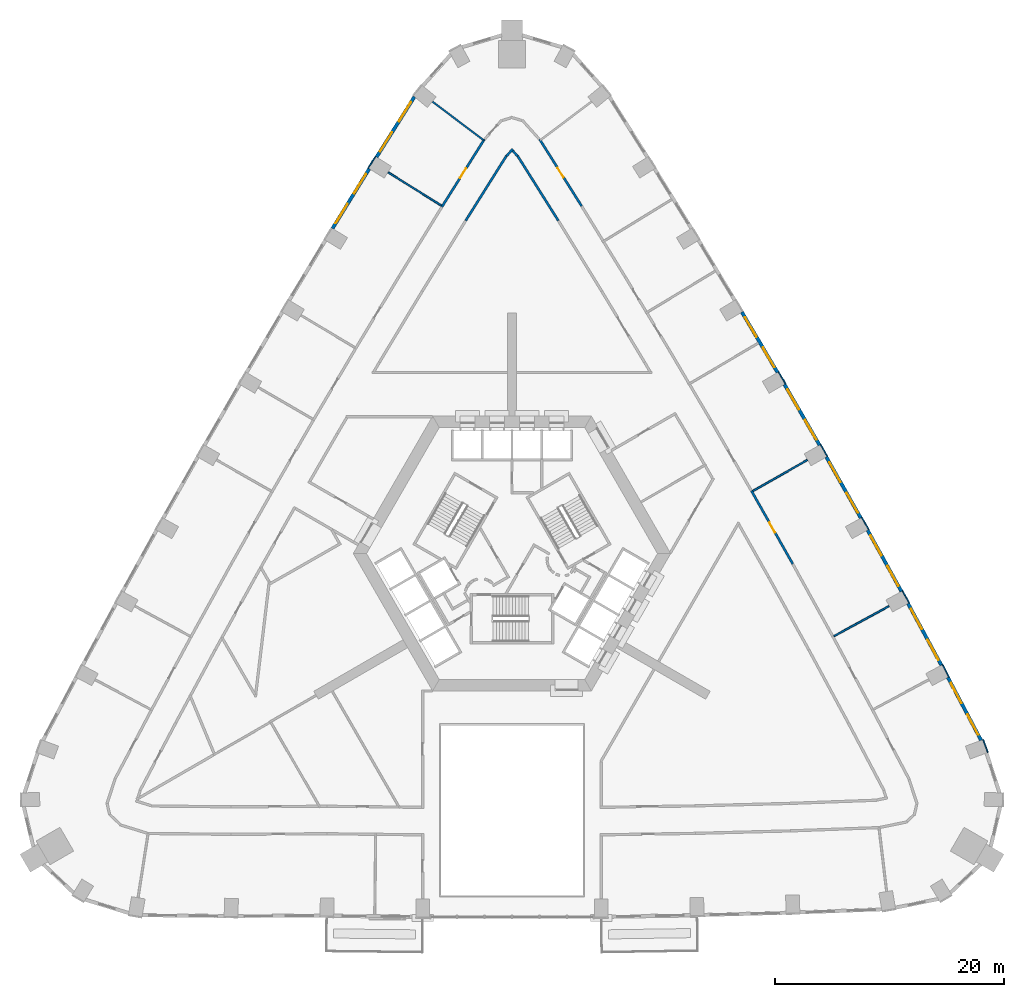
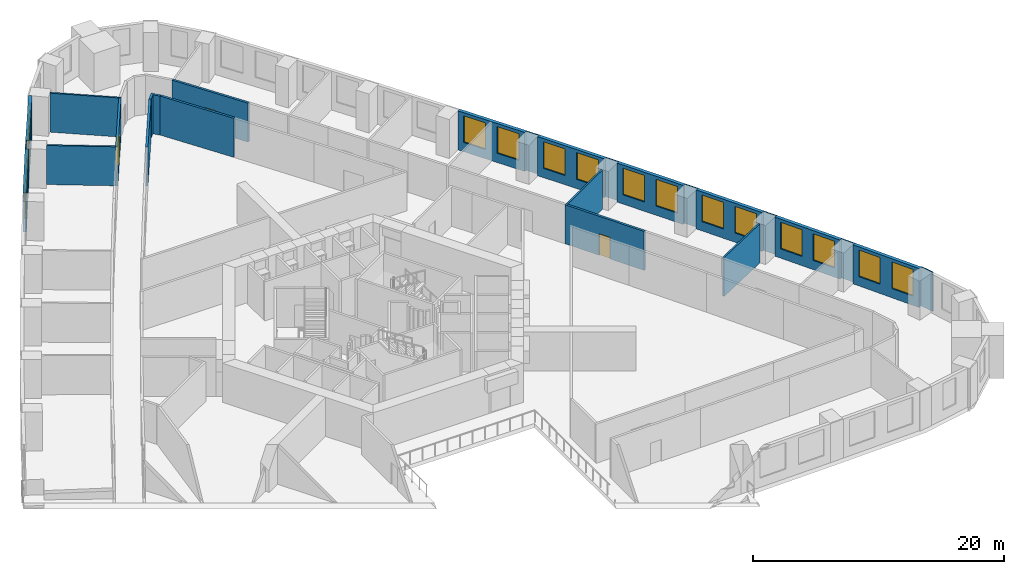
# One storey, part 11 of 14: 26 walls, 16 windows, 3 doors, 19 openings.
"""IFC4 building model written with IfcOpenShell, lengths in metres."""

from ifc_helpers import new_model, si_unit, direction, frame, frame_2d, origin, place, context, subcontext, project, spatial, rectangle, extrude, material, layer, layer_set, type_object, element, fill, save


model = new_model("IFC4")

# Units and contexts
model_context = context("Model", 3, precision=1e-05, world=origin(), true_north=direction((0.0, 1.0)))
body_context = subcontext(model_context, "Body", "Model", "MODEL_VIEW")
ifc_project = project(units=[si_unit("LENGTHUNIT", "METRE"), si_unit("AREAUNIT", "SQUARE_METRE"), si_unit("VOLUMEUNIT", "CUBIC_METRE"), si_unit("PLANEANGLEUNIT", "RADIAN"), si_unit("MASSUNIT", "GRAM", prefix="KILO")], contexts=[model_context])

# Site, building, storey
site_placement = place(None, origin())
site = spatial("IfcSite", under=ifc_project, at=site_placement, CompositionType="ELEMENT")
building_placement = place(site_placement, origin())
building = spatial("IfcBuilding", under=site, at=building_placement, Name="Entoto Arch Interchange Tower", CompositionType="ELEMENT")
storey_placement = place(building_placement, frame((0.0, 0.0, 64.39990234375)))
storey = spatial("IfcBuildingStorey", under=building, at=storey_placement, Name="L13", CompositionType="ELEMENT", Elevation=64.39990234375)

# Walls
ifc_material_1 = material(Name="Gypsum board partition on steel studs", Category="steel")
ifc_layer_1 = layer(ifc_material_1, 0.14990234375)
ifc_layer_set_1 = layer_set([ifc_layer_1], Name="Gypsum board partition on steel studs")
wall_type_1 = type_object("IfcWallType", Name="PARTITION 150", PredefinedType="PARTITIONING", material=ifc_layer_set_1)
wall_1_placement = place(storey_placement, frame((28.111083984375, -4.717041015625, 0.0), z_axis=(0.0, 0.0, 1.0), x_axis=(0.877558297547, 0.479469951515, 0.0)))
element("IfcWall", 1, at=wall_1_placement, inside=storey, type_object=wall_type_1, Name="wall:L13:p136", PredefinedType="PARTITIONING", context=body_context, shape_type="SweptSolid", body=[
    extrude(rectangle(XDim=5.48095703125, YDim=0.14990234375, at=frame_2d((2.740478515625, 0.0))), origin(), (0.0, 0.0, 1.0), 3.800048828125),
])
wall_2_placement = place(storey_placement, frame((21.032958984375, 7.952880859375, 0.0), z_axis=(0.0, 0.0, 1.0), x_axis=(0.868311678357, 0.496018980715, 0.0)))
element("IfcWall", 2, at=wall_2_placement, inside=storey, type_object=wall_type_1, Name="wall:L13:p137", PredefinedType="PARTITIONING", context=body_context, shape_type="SweptSolid", body=[
    extrude(rectangle(XDim=5.479736328125, YDim=0.14990234375, at=frame_2d((2.73974609375, 0.0))), origin(), (0.0, 0.0, 1.0), 3.800048828125),
])
wall_3_placement = place(storey_placement, frame((-2.466064453125, 38.580078125, 0.0), z_axis=(0.0, 0.0, 1.0), x_axis=(-0.798796148738, 0.601601789193, 0.0)))
element("IfcWall", 3, at=wall_3_placement, inside=storey, type_object=wall_type_1, Name="wall:L13:p142", PredefinedType="PARTITIONING", context=body_context, shape_type="SweptSolid", body=[
    extrude(rectangle(XDim=5.604736328125, YDim=0.14990234375, at=frame_2d((2.80224609375, 0.0))), origin(), (0.0, 0.0, 1.0), 3.800048828125),
])
wall_4_placement = place(storey_placement, frame((-6.166015625, 32.885009765625, 0.0), z_axis=(0.0, 0.0, 1.0), x_axis=(-0.84915518202, 0.528143424506, 0.0)))
element("IfcWall", 4, at=wall_4_placement, inside=storey, type_object=wall_type_1, Name="wall:L13:p143", PredefinedType="PARTITIONING", context=body_context, shape_type="SweptSolid", body=[
    extrude(rectangle(XDim=5.479736328125, YDim=0.14990234375, at=frame_2d((2.73974609375, 0.0))), origin(), (0.0, 0.0, 1.0), 3.800048828125),
])
ifc_layer_2 = layer(ifc_material_1, 0.199951171875)
ifc_layer_set_2 = layer_set([ifc_layer_2], Name="Gypsum board partition on steel studs")
wall_type_2 = type_object("IfcWallType", Name="PARTITION 200", PredefinedType="PARTITIONING", material=ifc_layer_set_2)
wall_5_placement = place(storey_placement, frame((4.04296875, 31.56396484375, 0.0), z_axis=(0.0, 0.0, 1.0), x_axis=(-0.532301094997, 0.846555104092, 0.0)))
element("IfcWall", 5, at=wall_5_placement, inside=storey, type_object=wall_type_2, Name="wall:L13:p011", PredefinedType="PARTITIONING", context=body_context, shape_type="SweptSolid", body=[
    extrude(rectangle(XDim=6.676513671875, YDim=0.199951171875, at=frame_2d((3.33837890625, 0.0))), origin(), (0.0, 0.0, 1.0), 3.800048828125),
])
wall_6_placement = place(storey_placement, frame((0.47607421875, 37.2060546875, 0.0), z_axis=(0.0, 0.0, 1.0), x_axis=(-0.667027496744, 0.745033098988, 0.0)))
element("IfcWall", 6, at=wall_6_placement, inside=storey, type_object=wall_type_2, Name="wall:L13:p012", PredefinedType="PARTITIONING", context=body_context, shape_type="SweptSolid", body=[
    extrude(rectangle(XDim=0.613525390625, YDim=0.199951171875, at=frame_2d((0.306640625, 0.0))), origin(), (0.0, 0.0, 1.0), 3.800048828125),
])
wall_7_placement = place(storey_placement, frame((0.06689453125, 37.81201171875, 0.0), z_axis=(0.0, 0.0, 1.0), x_axis=(-0.667338487106, -0.744754552606, 0.0)))
element("IfcWall", 7, at=wall_7_placement, inside=storey, type_object=wall_type_2, Name="wall:L13:p013", PredefinedType="PARTITIONING", context=body_context, shape_type="SweptSolid", body=[
    extrude(rectangle(XDim=0.813720703125, YDim=0.199951171875, at=frame_2d((0.40673828125, 0.0))), origin(), (0.0, 0.0, 1.0), 3.800048828125),
])
wall_8_placement = place(storey_placement, frame((-0.489013671875, 37.216064453125, 0.0), z_axis=(0.0, 0.0, 1.0), x_axis=(-0.532301094997, -0.846555104092, 0.0)))
element("IfcWall", 8, at=wall_8_placement, inside=storey, type_object=wall_type_2, Name="wall:L13:p014", PredefinedType="PARTITIONING", context=body_context, shape_type="SweptSolid", body=[
    extrude(rectangle(XDim=6.676513671875, YDim=0.199951171875, at=frame_2d((3.33837890625, 0.0))), origin(), (0.0, 0.0, 1.0), 3.800048828125),
])

# Wall, opening, door
wall_9_placement = place(storey_placement, frame((20.908935546875, 7.968994140625, 0.0), z_axis=(0.0, 0.0, 1.0), x_axis=(0.491808171064, -0.870703579225, 0.0)))
wall_9 = element("IfcWall", 9, at=wall_9_placement, inside=storey, type_object=wall_type_2, Name="wall:L13:p052", PredefinedType="PARTITIONING", context=body_context, shape_type="SweptSolid", body=[
    extrude(rectangle(XDim=7.33203125, YDim=0.199951171875, at=frame_2d((3.666015625, 0.0))), origin(), (0.0, 0.0, 1.0), 3.800048828125),
])
opening_1_placement = place(wall_9_placement, frame((3.166015625, 0.0, 0.0)))
opening_1 = element("IfcOpeningElement", 10, at=opening_1_placement, cuts=wall_9, Name="Opening L13-D04", PredefinedType="OPENING", context=body_context, shape_type="SweptSolid", body=[
    extrude(rectangle(XDim=1.0, YDim=2.10009765625, at=frame_2d((0.5, 1.050048828125))), frame((0.0, 0.10986328125, 0.0), z_axis=(0.0, -1.0, 0.0), x_axis=(1.0, 0.0, 0.0)), (0.0, 0.0, 1.0), 0.219970703125),
])
ifc_material_2 = material(Name="Timber door leaf in Steel S235 frame", Category="steel")
door_type = type_object("IfcDoorType", Name="DOOR DS-10 1000x2100", OperationType="SINGLE_SWING_LEFT", PredefinedType="DOOR", material=ifc_material_2)
door_1_placement = place(opening_1_placement, origin())
door_1 = element("IfcDoor", 11, at=door_1_placement, inside=storey, type_object=door_type, Name="door:L13:04", OperationType="SINGLE_SWING_RIGHT", OverallHeight=2.10009765625, OverallWidth=1.0, PredefinedType="DOOR", context=body_context, shape_type="SweptSolid", body=[
    extrude(rectangle(XDim=1.0, YDim=2.10009765625, at=frame_2d((0.5, 1.050048828125))), frame((0.0, 0.02490234375, 0.0), z_axis=(0.0, -1.0, 0.0), x_axis=(1.0, 0.0, 0.0)), (0.0, 0.0, 1.0), 0.050048828125),
])
fill(opening_1, door_1)

wall_10_placement = place(storey_placement, frame((2.4130859375, 38.6650390625, 0.0), z_axis=(0.0, 0.0, 1.0), x_axis=(0.532328273879, -0.846538013812, 0.0)))
wall_10 = element("IfcWall", 12, at=wall_10_placement, inside=storey, type_object=wall_type_2, Name="wall:L13:p060", PredefinedType="PARTITIONING", context=body_context, shape_type="SweptSolid", body=[
    extrude(rectangle(XDim=6.890380859375, YDim=0.199951171875, at=frame_2d((3.4453125, 0.0))), origin(), (0.0, 0.0, 1.0), 3.800048828125),
])
opening_2_placement = place(wall_10_placement, frame((2.945068359375, 0.0, 0.0)))
opening_2 = element("IfcOpeningElement", 13, at=opening_2_placement, cuts=wall_10, Name="Opening L13-D08", PredefinedType="OPENING", context=body_context, shape_type="SweptSolid", body=[
    extrude(rectangle(XDim=1.0, YDim=2.10009765625, at=frame_2d((0.5, 1.050048828125))), frame((0.0, 0.10986328125, 0.0), z_axis=(0.0, -1.0, 0.0), x_axis=(1.0, 0.0, 0.0)), (0.0, 0.0, 1.0), 0.219970703125),
])
door_2_placement = place(opening_2_placement, origin())
door_2 = element("IfcDoor", 14, at=door_2_placement, inside=storey, type_object=door_type, Name="door:L13:08", OperationType="SINGLE_SWING_LEFT", OverallHeight=2.10009765625, OverallWidth=1.0, PredefinedType="DOOR", context=body_context, shape_type="SweptSolid", body=[
    extrude(rectangle(XDim=1.0, YDim=2.10009765625, at=frame_2d((0.5, 1.050048828125))), frame((0.0, 0.02490234375, 0.0), z_axis=(0.0, -1.0, 0.0), x_axis=(1.0, 0.0, 0.0)), (0.0, 0.0, 1.0), 0.050048828125),
])
fill(opening_2, door_2)

wall_11_placement = place(storey_placement, frame((-6.12109375, 32.76806640625, 0.0), z_axis=(0.0, 0.0, 1.0), x_axis=(0.532309351336, 0.846549912574, 0.0)))
wall_11 = element("IfcWall", 15, at=wall_11_placement, inside=storey, type_object=wall_type_2, Name="wall:L13:p066", PredefinedType="PARTITIONING", context=body_context, shape_type="SweptSolid", body=[
    extrude(rectangle(XDim=6.9658203125, YDim=0.199951171875, at=frame_2d((3.48291015625, 0.0))), origin(), (0.0, 0.0, 1.0), 3.800048828125),
])
opening_3_placement = place(wall_11_placement, frame((2.98291015625, 0.0, 0.0)))
opening_3 = element("IfcOpeningElement", 16, at=opening_3_placement, cuts=wall_11, Name="Opening L13-D10", PredefinedType="OPENING", context=body_context, shape_type="SweptSolid", body=[
    extrude(rectangle(XDim=1.0, YDim=2.10009765625, at=frame_2d((0.5, 1.050048828125))), frame((0.0, 0.10986328125, 0.0), z_axis=(0.0, -1.0, 0.0), x_axis=(1.0, 0.0, 0.0)), (0.0, 0.0, 1.0), 0.219970703125),
])
door_3_placement = place(opening_3_placement, origin())
door_3 = element("IfcDoor", 17, at=door_3_placement, inside=storey, type_object=door_type, Name="door:L13:10", OperationType="SINGLE_SWING_LEFT", OverallHeight=2.10009765625, OverallWidth=1.0, PredefinedType="DOOR", context=body_context, shape_type="SweptSolid", body=[
    extrude(rectangle(XDim=1.0, YDim=2.10009765625, at=frame_2d((0.5, 1.050048828125))), frame((0.0, 0.02490234375, 0.0), z_axis=(0.0, -1.0, 0.0), x_axis=(1.0, 0.0, 0.0)), (0.0, 0.0, 1.0), 0.050048828125),
])
fill(opening_3, door_3)

# Wall, openings, windows
ifc_material_3 = material(Name="Welded tuff (ignimbrite) cladding, warm buff", Category="masonry")
ifc_layer_3 = layer(ifc_material_3, 0.300048828125)
ifc_layer_set_3 = layer_set([ifc_layer_3], Name="Welded tuff (ignimbrite) cladding, warm buff")
wall_type_3 = type_object("IfcWallType", Name="STONE INFILL WALL 300", PredefinedType="STANDARD", material=ifc_layer_set_3)
wall_12_placement = place(storey_placement, frame((40.964111328125, -13.81005859375, 0.0), z_axis=(0.0, 0.0, 1.0), x_axis=(-0.467041710902, 0.884235285587, 0.0)))
wall_12 = element("IfcWall", 18, at=wall_12_placement, inside=storey, type_object=wall_type_3, Name="Facade wall NE-01 L13", PredefinedType="STANDARD", context=body_context, shape_type="SweptSolid", body=[
    extrude(rectangle(XDim=6.219970703125, YDim=0.300048828125, at=frame_2d((3.10986328125, 0.0))), origin(), (0.0, 0.0, 1.0), 3.800048828125),
])
opening_4_placement = place(wall_12_placement, frame((0.554931640625, 0.0, 0.89990234375)))
opening_4 = element("IfcOpeningElement", 19, at=opening_4_placement, cuts=wall_12, Name="Opening WO-C", PredefinedType="OPENING", context=body_context, shape_type="SweptSolid", body=[
    extrude(rectangle(XDim=2.0, YDim=2.60009765625, at=frame_2d((1.0, 1.300048828125))), frame((0.0, 0.16015625, 0.0), z_axis=(0.0, -1.0, 0.0), x_axis=(1.0, 0.0, 0.0)), (0.0, 0.0, 1.0), 0.320068359375),
])
opening_5_placement = place(wall_12_placement, frame((3.6650390625, 0.0, 0.89990234375)))
opening_5 = element("IfcOpeningElement", 20, at=opening_5_placement, cuts=wall_12, Name="Opening WO-C", PredefinedType="OPENING", context=body_context, shape_type="SweptSolid", body=[
    extrude(rectangle(XDim=2.0, YDim=2.60009765625, at=frame_2d((1.0, 1.300048828125))), frame((0.0, 0.16015625, 0.0), z_axis=(0.0, -1.0, 0.0), x_axis=(1.0, 0.0, 0.0)), (0.0, 0.0, 1.0), 0.320068359375),
])
ifc_material_4 = material(Name="Clear glass, low-e double glazed", Category="glass")
window_type = type_object("IfcWindowType", Name="WINDOW WO-C 2000x2600", PartitioningType="DOUBLE_PANEL_VERTICAL", PredefinedType="WINDOW", material=ifc_material_4)
window_1_placement = place(opening_4_placement, origin())
window_1 = element("IfcWindow", 21, at=window_1_placement, inside=storey, type_object=window_type, Name="Window WO-C NE-01 L13", OverallHeight=2.60009765625, OverallWidth=2.0, PartitioningType="SINGLE_PANEL", PredefinedType="WINDOW", context=body_context, shape_type="SweptSolid", body=[
    extrude(rectangle(XDim=2.0, YDim=2.60009765625, at=frame_2d((1.0, 1.300048828125))), frame((0.0, 0.030029296875, 0.0), z_axis=(0.0, -1.0, 0.0), x_axis=(1.0, 0.0, 0.0)), (0.0, 0.0, 1.0), 0.06005859375),
])
fill(opening_4, window_1)
window_2_placement = place(opening_5_placement, origin())
window_2 = element("IfcWindow", 22, at=window_2_placement, inside=storey, type_object=window_type, Name="Window WO-C NE-01 L13", OverallHeight=2.60009765625, OverallWidth=2.0, PartitioningType="SINGLE_PANEL", PredefinedType="WINDOW", context=body_context, shape_type="SweptSolid", body=[
    extrude(rectangle(XDim=2.0, YDim=2.60009765625, at=frame_2d((1.0, 1.300048828125))), frame((0.0, 0.030029296875, 0.0), z_axis=(0.0, -1.0, 0.0), x_axis=(1.0, 0.0, 0.0)), (0.0, 0.0, 1.0), 0.06005859375),
])
fill(opening_5, window_2)

wall_13_placement = place(storey_placement, frame((37.4951171875, -7.2529296875, 0.0), z_axis=(0.0, 0.0, 1.0), x_axis=(-0.475413659872, 0.879762383833, 0.0)))
wall_13 = element("IfcWall", 23, at=wall_13_placement, inside=storey, type_object=wall_type_3, Name="Facade wall NE-02 L13", PredefinedType="STANDARD", context=body_context, shape_type="SweptSolid", body=[
    extrude(rectangle(XDim=6.12548828125, YDim=0.300048828125, at=frame_2d((3.062744140625, 0.0))), origin(), (0.0, 0.0, 1.0), 3.800048828125),
])
opening_6_placement = place(wall_13_placement, frame((0.531005859375, 0.0, 0.89990234375)))
opening_6 = element("IfcOpeningElement", 24, at=opening_6_placement, cuts=wall_13, Name="Opening WO-C", PredefinedType="OPENING", context=body_context, shape_type="SweptSolid", body=[
    extrude(rectangle(XDim=2.0, YDim=2.60009765625, at=frame_2d((1.0, 1.300048828125))), frame((0.0, 0.16015625, 0.0), z_axis=(0.0, -1.0, 0.0), x_axis=(1.0, 0.0, 0.0)), (0.0, 0.0, 1.0), 0.320068359375),
])
opening_7_placement = place(wall_13_placement, frame((3.593994140625, 0.0, 0.89990234375)))
opening_7 = element("IfcOpeningElement", 25, at=opening_7_placement, cuts=wall_13, Name="Opening WO-C", PredefinedType="OPENING", context=body_context, shape_type="SweptSolid", body=[
    extrude(rectangle(XDim=2.0, YDim=2.60009765625, at=frame_2d((1.0, 1.300048828125))), frame((0.0, 0.16015625, 0.0), z_axis=(0.0, -1.0, 0.0), x_axis=(1.0, 0.0, 0.0)), (0.0, 0.0, 1.0), 0.320068359375),
])
window_3_placement = place(opening_6_placement, origin())
window_3 = element("IfcWindow", 26, at=window_3_placement, inside=storey, type_object=window_type, Name="Window WO-C NE-02 L13", OverallHeight=2.60009765625, OverallWidth=2.0, PartitioningType="SINGLE_PANEL", PredefinedType="WINDOW", context=body_context, shape_type="SweptSolid", body=[
    extrude(rectangle(XDim=2.0, YDim=2.60009765625, at=frame_2d((1.0, 1.300048828125))), frame((0.0, 0.030029296875, 0.0), z_axis=(0.0, -1.0, 0.0), x_axis=(1.0, 0.0, 0.0)), (0.0, 0.0, 1.0), 0.06005859375),
])
fill(opening_6, window_3)
window_4_placement = place(opening_7_placement, origin())
window_4 = element("IfcWindow", 27, at=window_4_placement, inside=storey, type_object=window_type, Name="Window WO-C NE-02 L13", OverallHeight=2.60009765625, OverallWidth=2.0, PartitioningType="SINGLE_PANEL", PredefinedType="WINDOW", context=body_context, shape_type="SweptSolid", body=[
    extrude(rectangle(XDim=2.0, YDim=2.60009765625, at=frame_2d((1.0, 1.300048828125))), frame((0.0, 0.030029296875, 0.0), z_axis=(0.0, -1.0, 0.0), x_axis=(1.0, 0.0, 0.0)), (0.0, 0.0, 1.0), 0.06005859375),
])
fill(opening_7, window_4)

wall_14_placement = place(storey_placement, frame((34.009033203125, -0.81201171875, 0.0), z_axis=(0.0, 0.0, 1.0), x_axis=(-0.483587271547, 0.875296150339, 0.0)))
wall_14 = element("IfcWall", 28, at=wall_14_placement, inside=storey, type_object=wall_type_3, Name="Facade wall NE-03 L13", PredefinedType="STANDARD", context=body_context, shape_type="SweptSolid", body=[
    extrude(rectangle(XDim=6.125, YDim=0.300048828125, at=frame_2d((3.0625, 0.0))), origin(), (0.0, 0.0, 1.0), 3.800048828125),
])
opening_8_placement = place(wall_14_placement, frame((0.531005859375, 0.0, 0.89990234375)))
opening_8 = element("IfcOpeningElement", 29, at=opening_8_placement, cuts=wall_14, Name="Opening WO-C", PredefinedType="OPENING", context=body_context, shape_type="SweptSolid", body=[
    extrude(rectangle(XDim=2.0, YDim=2.60009765625, at=frame_2d((1.0, 1.300048828125))), frame((0.0, 0.16015625, 0.0), z_axis=(0.0, -1.0, 0.0), x_axis=(1.0, 0.0, 0.0)), (0.0, 0.0, 1.0), 0.320068359375),
])
opening_9_placement = place(wall_14_placement, frame((3.593994140625, 0.0, 0.89990234375)))
opening_9 = element("IfcOpeningElement", 30, at=opening_9_placement, cuts=wall_14, Name="Opening WO-C", PredefinedType="OPENING", context=body_context, shape_type="SweptSolid", body=[
    extrude(rectangle(XDim=2.0, YDim=2.60009765625, at=frame_2d((1.0, 1.300048828125))), frame((0.0, 0.16015625, 0.0), z_axis=(0.0, -1.0, 0.0), x_axis=(1.0, 0.0, 0.0)), (0.0, 0.0, 1.0), 0.320068359375),
])
window_5_placement = place(opening_8_placement, origin())
window_5 = element("IfcWindow", 31, at=window_5_placement, inside=storey, type_object=window_type, Name="Window WO-C NE-03 L13", OverallHeight=2.60009765625, OverallWidth=2.0, PartitioningType="SINGLE_PANEL", PredefinedType="WINDOW", context=body_context, shape_type="SweptSolid", body=[
    extrude(rectangle(XDim=2.0, YDim=2.60009765625, at=frame_2d((1.0, 1.300048828125))), frame((0.0, 0.030029296875, 0.0), z_axis=(0.0, -1.0, 0.0), x_axis=(1.0, 0.0, 0.0)), (0.0, 0.0, 1.0), 0.06005859375),
])
fill(opening_8, window_5)
window_6_placement = place(opening_9_placement, origin())
window_6 = element("IfcWindow", 32, at=window_6_placement, inside=storey, type_object=window_type, Name="Window WO-C NE-03 L13", OverallHeight=2.60009765625, OverallWidth=2.0, PartitioningType="SINGLE_PANEL", PredefinedType="WINDOW", context=body_context, shape_type="SweptSolid", body=[
    extrude(rectangle(XDim=2.0, YDim=2.60009765625, at=frame_2d((1.0, 1.300048828125))), frame((0.0, 0.030029296875, 0.0), z_axis=(0.0, -1.0, 0.0), x_axis=(1.0, 0.0, 0.0)), (0.0, 0.0, 1.0), 0.06005859375),
])
fill(opening_9, window_6)

wall_15_placement = place(storey_placement, frame((30.4619140625, 5.594970703125, 0.0), z_axis=(0.0, 0.0, 1.0), x_axis=(-0.491887822214, 0.870658584267, 0.0)))
wall_15 = element("IfcWall", 33, at=wall_15_placement, inside=storey, type_object=wall_type_3, Name="Facade wall NE-04 L13", PredefinedType="STANDARD", context=body_context, shape_type="SweptSolid", body=[
    extrude(rectangle(XDim=6.125244140625, YDim=0.300048828125, at=frame_2d((3.0625, 0.0))), origin(), (0.0, 0.0, 1.0), 3.800048828125),
])
opening_10_placement = place(wall_15_placement, frame((0.531005859375, 0.0, 0.89990234375)))
opening_10 = element("IfcOpeningElement", 34, at=opening_10_placement, cuts=wall_15, Name="Opening WO-C", PredefinedType="OPENING", context=body_context, shape_type="SweptSolid", body=[
    extrude(rectangle(XDim=2.0, YDim=2.60009765625, at=frame_2d((1.0, 1.300048828125))), frame((0.0, 0.16015625, 0.0), z_axis=(0.0, -1.0, 0.0), x_axis=(1.0, 0.0, 0.0)), (0.0, 0.0, 1.0), 0.320068359375),
])
opening_11_placement = place(wall_15_placement, frame((3.593994140625, 0.0, 0.89990234375)))
opening_11 = element("IfcOpeningElement", 35, at=opening_11_placement, cuts=wall_15, Name="Opening WO-C", PredefinedType="OPENING", context=body_context, shape_type="SweptSolid", body=[
    extrude(rectangle(XDim=2.0, YDim=2.60009765625, at=frame_2d((1.0, 1.300048828125))), frame((0.0, 0.16015625, 0.0), z_axis=(0.0, -1.0, 0.0), x_axis=(1.0, 0.0, 0.0)), (0.0, 0.0, 1.0), 0.320068359375),
])
window_7_placement = place(opening_10_placement, origin())
window_7 = element("IfcWindow", 36, at=window_7_placement, inside=storey, type_object=window_type, Name="Window WO-C NE-04 L13", OverallHeight=2.60009765625, OverallWidth=2.0, PartitioningType="SINGLE_PANEL", PredefinedType="WINDOW", context=body_context, shape_type="SweptSolid", body=[
    extrude(rectangle(XDim=2.0, YDim=2.60009765625, at=frame_2d((1.0, 1.300048828125))), frame((0.0, 0.030029296875, 0.0), z_axis=(0.0, -1.0, 0.0), x_axis=(1.0, 0.0, 0.0)), (0.0, 0.0, 1.0), 0.06005859375),
])
fill(opening_10, window_7)
window_8_placement = place(opening_11_placement, origin())
window_8 = element("IfcWindow", 37, at=window_8_placement, inside=storey, type_object=window_type, Name="Window WO-C NE-04 L13", OverallHeight=2.60009765625, OverallWidth=2.0, PartitioningType="SINGLE_PANEL", PredefinedType="WINDOW", context=body_context, shape_type="SweptSolid", body=[
    extrude(rectangle(XDim=2.0, YDim=2.60009765625, at=frame_2d((1.0, 1.300048828125))), frame((0.0, 0.030029296875, 0.0), z_axis=(0.0, -1.0, 0.0), x_axis=(1.0, 0.0, 0.0)), (0.0, 0.0, 1.0), 0.06005859375),
])
fill(opening_11, window_8)

wall_16_placement = place(storey_placement, frame((26.85498046875, 11.968017578125, 0.0), z_axis=(0.0, 0.0, 1.0), x_axis=(-0.499903021601, 0.86608138705, 0.0)))
wall_16 = element("IfcWall", 38, at=wall_16_placement, inside=storey, type_object=wall_type_3, Name="Facade wall NE-05 L13", PredefinedType="STANDARD", context=body_context, shape_type="SweptSolid", body=[
    extrude(rectangle(XDim=6.125244140625, YDim=0.300048828125, at=frame_2d((3.0625, 0.0))), origin(), (0.0, 0.0, 1.0), 3.800048828125),
])
opening_12_placement = place(wall_16_placement, frame((0.531005859375, 0.0, 0.89990234375)))
opening_12 = element("IfcOpeningElement", 39, at=opening_12_placement, cuts=wall_16, Name="Opening WO-C", PredefinedType="OPENING", context=body_context, shape_type="SweptSolid", body=[
    extrude(rectangle(XDim=2.0, YDim=2.60009765625, at=frame_2d((1.0, 1.300048828125))), frame((0.0, 0.16015625, 0.0), z_axis=(0.0, -1.0, 0.0), x_axis=(1.0, 0.0, 0.0)), (0.0, 0.0, 1.0), 0.320068359375),
])
opening_13_placement = place(wall_16_placement, frame((3.593994140625, 0.0, 0.89990234375)))
opening_13 = element("IfcOpeningElement", 40, at=opening_13_placement, cuts=wall_16, Name="Opening WO-C", PredefinedType="OPENING", context=body_context, shape_type="SweptSolid", body=[
    extrude(rectangle(XDim=2.0, YDim=2.60009765625, at=frame_2d((1.0, 1.300048828125))), frame((0.0, 0.16015625, 0.0), z_axis=(0.0, -1.0, 0.0), x_axis=(1.0, 0.0, 0.0)), (0.0, 0.0, 1.0), 0.320068359375),
])
window_9_placement = place(opening_12_placement, origin())
window_9 = element("IfcWindow", 41, at=window_9_placement, inside=storey, type_object=window_type, Name="Window WO-C NE-05 L13", OverallHeight=2.60009765625, OverallWidth=2.0, PartitioningType="SINGLE_PANEL", PredefinedType="WINDOW", context=body_context, shape_type="SweptSolid", body=[
    extrude(rectangle(XDim=2.0, YDim=2.60009765625, at=frame_2d((1.0, 1.300048828125))), frame((0.0, 0.030029296875, 0.0), z_axis=(0.0, -1.0, 0.0), x_axis=(1.0, 0.0, 0.0)), (0.0, 0.0, 1.0), 0.06005859375),
])
fill(opening_12, window_9)
window_10_placement = place(opening_13_placement, origin())
window_10 = element("IfcWindow", 42, at=window_10_placement, inside=storey, type_object=window_type, Name="Window WO-C NE-05 L13", OverallHeight=2.60009765625, OverallWidth=2.0, PartitioningType="SINGLE_PANEL", PredefinedType="WINDOW", context=body_context, shape_type="SweptSolid", body=[
    extrude(rectangle(XDim=2.0, YDim=2.60009765625, at=frame_2d((1.0, 1.300048828125))), frame((0.0, 0.030029296875, 0.0), z_axis=(0.0, -1.0, 0.0), x_axis=(1.0, 0.0, 0.0)), (0.0, 0.0, 1.0), 0.06005859375),
])
fill(opening_13, window_10)

wall_17_placement = place(storey_placement, frame((23.18896484375, 18.306884765625, 0.0), z_axis=(0.0, 0.0, 1.0), x_axis=(-0.508163938648, 0.861260362177, 0.0)))
wall_17 = element("IfcWall", 43, at=wall_17_placement, inside=storey, type_object=wall_type_3, Name="Facade wall NE-06 L13", PredefinedType="STANDARD", context=body_context, shape_type="SweptSolid", body=[
    extrude(rectangle(XDim=6.1259765625, YDim=0.300048828125, at=frame_2d((3.06298828125, 0.0))), origin(), (0.0, 0.0, 1.0), 3.800048828125),
])
opening_14_placement = place(wall_17_placement, frame((0.531005859375, 0.0, 0.89990234375)))
opening_14 = element("IfcOpeningElement", 44, at=opening_14_placement, cuts=wall_17, Name="Opening WO-C", PredefinedType="OPENING", context=body_context, shape_type="SweptSolid", body=[
    extrude(rectangle(XDim=2.0, YDim=2.60009765625, at=frame_2d((1.0, 1.300048828125))), frame((0.0, 0.16015625, 0.0), z_axis=(0.0, -1.0, 0.0), x_axis=(1.0, 0.0, 0.0)), (0.0, 0.0, 1.0), 0.320068359375),
])
opening_15_placement = place(wall_17_placement, frame((3.593994140625, 0.0, 0.89990234375)))
opening_15 = element("IfcOpeningElement", 45, at=opening_15_placement, cuts=wall_17, Name="Opening WO-C", PredefinedType="OPENING", context=body_context, shape_type="SweptSolid", body=[
    extrude(rectangle(XDim=2.0, YDim=2.60009765625, at=frame_2d((1.0, 1.300048828125))), frame((0.0, 0.16015625, 0.0), z_axis=(0.0, -1.0, 0.0), x_axis=(1.0, 0.0, 0.0)), (0.0, 0.0, 1.0), 0.320068359375),
])
window_11_placement = place(opening_14_placement, origin())
window_11 = element("IfcWindow", 46, at=window_11_placement, inside=storey, type_object=window_type, Name="Window WO-C NE-06 L13", OverallHeight=2.60009765625, OverallWidth=2.0, PartitioningType="SINGLE_PANEL", PredefinedType="WINDOW", context=body_context, shape_type="SweptSolid", body=[
    extrude(rectangle(XDim=2.0, YDim=2.60009765625, at=frame_2d((1.0, 1.300048828125))), frame((0.0, 0.030029296875, 0.0), z_axis=(0.0, -1.0, 0.0), x_axis=(1.0, 0.0, 0.0)), (0.0, 0.0, 1.0), 0.06005859375),
])
fill(opening_14, window_11)
window_12_placement = place(opening_15_placement, origin())
window_12 = element("IfcWindow", 47, at=window_12_placement, inside=storey, type_object=window_type, Name="Window WO-C NE-06 L13", OverallHeight=2.60009765625, OverallWidth=2.0, PartitioningType="SINGLE_PANEL", PredefinedType="WINDOW", context=body_context, shape_type="SweptSolid", body=[
    extrude(rectangle(XDim=2.0, YDim=2.60009765625, at=frame_2d((1.0, 1.300048828125))), frame((0.0, 0.030029296875, 0.0), z_axis=(0.0, -1.0, 0.0), x_axis=(1.0, 0.0, 0.0)), (0.0, 0.0, 1.0), 0.06005859375),
])
fill(opening_15, window_12)

wall_18_placement = place(storey_placement, frame((-8.52294921875, 42.3798828125, 0.0), z_axis=(0.0, 0.0, 1.0), x_axis=(-0.532322705893, -0.846541515102, 0.0)))
wall_18 = element("IfcWall", 48, at=wall_18_placement, inside=storey, type_object=wall_type_3, Name="Facade wall NW-01 L13", PredefinedType="STANDARD", context=body_context, shape_type="SweptSolid", body=[
    extrude(rectangle(XDim=6.21826171875, YDim=0.300048828125, at=frame_2d((3.109130859375, 0.0))), origin(), (0.0, 0.0, 1.0), 3.800048828125),
])
opening_16_placement = place(wall_18_placement, frame((0.554931640625, 0.0, 0.89990234375)))
opening_16 = element("IfcOpeningElement", 49, at=opening_16_placement, cuts=wall_18, Name="Opening WO-C", PredefinedType="OPENING", context=body_context, shape_type="SweptSolid", body=[
    extrude(rectangle(XDim=2.0, YDim=2.60009765625, at=frame_2d((1.0, 1.300048828125))), frame((0.0, 0.16015625, 0.0), z_axis=(0.0, -1.0, 0.0), x_axis=(1.0, 0.0, 0.0)), (0.0, 0.0, 1.0), 0.320068359375),
])
opening_17_placement = place(wall_18_placement, frame((3.6640625, 0.0, 0.89990234375)))
opening_17 = element("IfcOpeningElement", 50, at=opening_17_placement, cuts=wall_18, Name="Opening WO-C", PredefinedType="OPENING", context=body_context, shape_type="SweptSolid", body=[
    extrude(rectangle(XDim=2.0, YDim=2.60009765625, at=frame_2d((1.0, 1.300048828125))), frame((0.0, 0.16015625, 0.0), z_axis=(0.0, -1.0, 0.0), x_axis=(1.0, 0.0, 0.0)), (0.0, 0.0, 1.0), 0.320068359375),
])
window_13_placement = place(opening_16_placement, origin())
window_13 = element("IfcWindow", 51, at=window_13_placement, inside=storey, type_object=window_type, Name="Window WO-C NW-01 L13", OverallHeight=2.60009765625, OverallWidth=2.0, PartitioningType="SINGLE_PANEL", PredefinedType="WINDOW", context=body_context, shape_type="SweptSolid", body=[
    extrude(rectangle(XDim=2.0, YDim=2.60009765625, at=frame_2d((1.0, 1.300048828125))), frame((0.0, 0.030029296875, 0.0), z_axis=(0.0, -1.0, 0.0), x_axis=(1.0, 0.0, 0.0)), (0.0, 0.0, 1.0), 0.06005859375),
])
fill(opening_16, window_13)
window_14_placement = place(opening_17_placement, origin())
window_14 = element("IfcWindow", 52, at=window_14_placement, inside=storey, type_object=window_type, Name="Window WO-C NW-01 L13", OverallHeight=2.60009765625, OverallWidth=2.0, PartitioningType="SINGLE_PANEL", PredefinedType="WINDOW", context=body_context, shape_type="SweptSolid", body=[
    extrude(rectangle(XDim=2.0, YDim=2.60009765625, at=frame_2d((1.0, 1.300048828125))), frame((0.0, 0.030029296875, 0.0), z_axis=(0.0, -1.0, 0.0), x_axis=(1.0, 0.0, 0.0)), (0.0, 0.0, 1.0), 0.06005859375),
])
fill(opening_17, window_14)

wall_19_placement = place(storey_placement, frame((-12.466064453125, 36.097900390625, 0.0), z_axis=(0.0, 0.0, 1.0), x_axis=(-0.524239751329, -0.851570715282, 0.0)))
wall_19 = element("IfcWall", 53, at=wall_19_placement, inside=storey, type_object=wall_type_3, Name="Facade wall NW-02 L13", PredefinedType="STANDARD", context=body_context, shape_type="SweptSolid", body=[
    extrude(rectangle(XDim=6.125, YDim=0.300048828125, at=frame_2d((3.0625, 0.0))), origin(), (0.0, 0.0, 1.0), 3.800048828125),
])
opening_18_placement = place(wall_19_placement, frame((0.531005859375, 0.0, 0.89990234375)))
opening_18 = element("IfcOpeningElement", 54, at=opening_18_placement, cuts=wall_19, Name="Opening WO-C", PredefinedType="OPENING", context=body_context, shape_type="SweptSolid", body=[
    extrude(rectangle(XDim=2.0, YDim=2.60009765625, at=frame_2d((1.0, 1.300048828125))), frame((0.0, 0.16015625, 0.0), z_axis=(0.0, -1.0, 0.0), x_axis=(1.0, 0.0, 0.0)), (0.0, 0.0, 1.0), 0.320068359375),
])
opening_19_placement = place(wall_19_placement, frame((3.593994140625, 0.0, 0.89990234375)))
opening_19 = element("IfcOpeningElement", 55, at=opening_19_placement, cuts=wall_19, Name="Opening WO-C", PredefinedType="OPENING", context=body_context, shape_type="SweptSolid", body=[
    extrude(rectangle(XDim=2.0, YDim=2.60009765625, at=frame_2d((1.0, 1.300048828125))), frame((0.0, 0.16015625, 0.0), z_axis=(0.0, -1.0, 0.0), x_axis=(1.0, 0.0, 0.0)), (0.0, 0.0, 1.0), 0.320068359375),
])
window_15_placement = place(opening_18_placement, origin())
window_15 = element("IfcWindow", 56, at=window_15_placement, inside=storey, type_object=window_type, Name="Window WO-C NW-02 L13", OverallHeight=2.60009765625, OverallWidth=2.0, PartitioningType="SINGLE_PANEL", PredefinedType="WINDOW", context=body_context, shape_type="SweptSolid", body=[
    extrude(rectangle(XDim=2.0, YDim=2.60009765625, at=frame_2d((1.0, 1.300048828125))), frame((0.0, 0.030029296875, 0.0), z_axis=(0.0, -1.0, 0.0), x_axis=(1.0, 0.0, 0.0)), (0.0, 0.0, 1.0), 0.06005859375),
])
fill(opening_18, window_15)
window_16_placement = place(opening_19_placement, origin())
window_16 = element("IfcWindow", 57, at=window_16_placement, inside=storey, type_object=window_type, Name="Window WO-C NW-02 L13", OverallHeight=2.60009765625, OverallWidth=2.0, PartitioningType="SINGLE_PANEL", PredefinedType="WINDOW", context=body_context, shape_type="SweptSolid", body=[
    extrude(rectangle(XDim=2.0, YDim=2.60009765625, at=frame_2d((1.0, 1.300048828125))), frame((0.0, 0.030029296875, 0.0), z_axis=(0.0, -1.0, 0.0), x_axis=(1.0, 0.0, 0.0)), (0.0, 0.0, 1.0), 0.06005859375),
])
fill(opening_19, window_16)

# Walls
ifc_layer_4 = layer(ifc_material_3, 0.10009765625)
ifc_layer_set_4 = layer_set([ifc_layer_4], Name="Welded tuff (ignimbrite) cladding, warm buff")
wall_type_4 = type_object("IfcWallType", Name="STONE PIER CLADDING 100", PredefinedType="STANDARD", material=ifc_layer_set_4)
wall_20_placement = place(storey_placement, frame((41.550048828125, -14.87109375, 0.0), z_axis=(0.0, 0.0, 1.0), x_axis=(-0.348268249601, 0.937394914814, 0.0)))
element("IfcWall", 58, at=wall_20_placement, inside=storey, type_object=wall_type_4, Name="Stone pier NE01 L13", PredefinedType="STANDARD", context=body_context, shape_type="SweptSolid", body=[
    extrude(rectangle(XDim=1.2001953125, YDim=0.10009765625, at=frame_2d((0.60009765625, 0.0))), origin(), (0.0, 0.0, 1.0), 3.800048828125),
])
wall_21_placement = place(storey_placement, frame((38.14892578125, -8.262939453125, 0.0), z_axis=(0.0, 0.0, 1.0), x_axis=(-0.469467784567, 0.882949601763, 0.0)))
element("IfcWall", 59, at=wall_21_placement, inside=storey, type_object=wall_type_4, Name="Stone pier NE02 L13", PredefinedType="STANDARD", context=body_context, shape_type="SweptSolid", body=[
    extrude(rectangle(XDim=1.19921875, YDim=0.10009765625, at=frame_2d((0.599609375, 0.0))), origin(), (0.0, 0.0, 1.0), 3.800048828125),
])
wall_22_placement = place(storey_placement, frame((34.673095703125, -1.81591796875, 0.0), z_axis=(0.0, 0.0, 1.0), x_axis=(-0.478267644701, 0.878214131082, 0.0)))
element("IfcWall", 60, at=wall_22_placement, inside=storey, type_object=wall_type_4, Name="Stone pier NE03 L13", PredefinedType="STANDARD", context=body_context, shape_type="SweptSolid", body=[
    extrude(rectangle(XDim=1.2001953125, YDim=0.10009765625, at=frame_2d((0.60009765625, 0.0))), origin(), (0.0, 0.0, 1.0), 3.800048828125),
])
wall_23_placement = place(storey_placement, frame((31.135986328125, 4.597900390625, 0.0), z_axis=(0.0, 0.0, 1.0), x_axis=(-0.486730996044, 0.87355190887, 0.0)))
element("IfcWall", 61, at=wall_23_placement, inside=storey, type_object=wall_type_4, Name="Stone pier NE04 L13", PredefinedType="STANDARD", context=body_context, shape_type="SweptSolid", body=[
    extrude(rectangle(XDim=1.19970703125, YDim=0.10009765625, at=frame_2d((0.599853515625, 0.0))), origin(), (0.0, 0.0, 1.0), 3.800048828125),
])
wall_24_placement = place(storey_placement, frame((27.5390625, 10.97802734375, 0.0), z_axis=(0.0, 0.0, 1.0), x_axis=(-0.495854054996, 0.868405870629, 0.0)))
element("IfcWall", 62, at=wall_24_placement, inside=storey, type_object=wall_type_4, Name="Stone pier NE05 L13", PredefinedType="STANDARD", context=body_context, shape_type="SweptSolid", body=[
    extrude(rectangle(XDim=1.199951171875, YDim=0.10009765625, at=frame_2d((0.60009765625, 0.0))), origin(), (0.0, 0.0, 1.0), 3.800048828125),
])
wall_25_placement = place(storey_placement, frame((23.882080078125, 17.323974609375, 0.0), z_axis=(0.0, 0.0, 1.0), x_axis=(-0.504225229382, 0.863572184623, 0.0)))
element("IfcWall", 63, at=wall_25_placement, inside=storey, type_object=wall_type_4, Name="Stone pier NE06 L13", PredefinedType="STANDARD", context=body_context, shape_type="SweptSolid", body=[
    extrude(rectangle(XDim=1.19970703125, YDim=0.10009765625, at=frame_2d((0.599853515625, 0.0))), origin(), (0.0, 0.0, 1.0), 3.800048828125),
])
wall_26_placement = place(storey_placement, frame((-11.9189453125, 37.169921875, 0.0), z_axis=(0.0, 0.0, 1.0), x_axis=(-0.530273374944, -0.847826720401, 0.0)))
element("IfcWall", 64, at=wall_26_placement, inside=storey, type_object=wall_type_4, Name="Stone pier NW02 L13", PredefinedType="STANDARD", context=body_context, shape_type="SweptSolid", body=[
    extrude(rectangle(XDim=1.199462890625, YDim=0.10009765625, at=frame_2d((0.599609375, 0.0))), origin(), (0.0, 0.0, 1.0), 3.800048828125),
])

save(model, "model.ifc")
